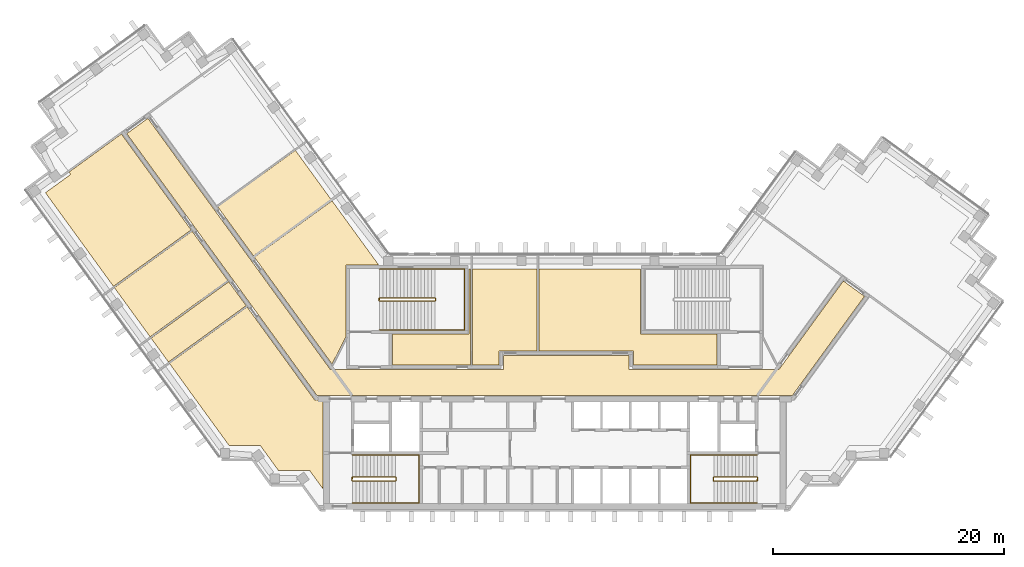
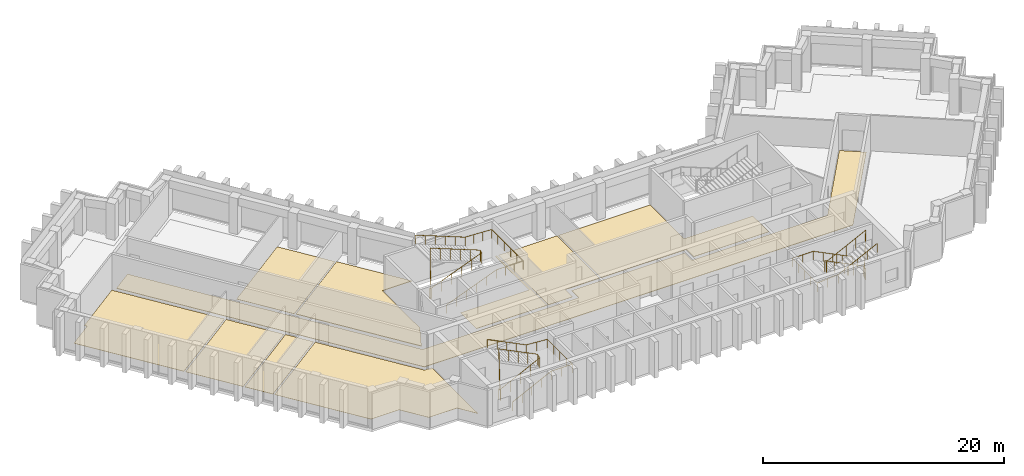
# One storey, part 8 of 9: 10 coverings, 6 railings.
"""IFC4 building model written with IfcOpenShell, lengths in metres."""

from ifc_helpers import new_model, si_unit, direction, frame, origin, origin_2d, place, context, subcontext, project, spatial, polyline, circle, outline, extrude, material, layer, layer_set, type_object, element, save


model = new_model("IFC4")

# Units and contexts
model_context = context("Model", 3, precision=1e-05, world=origin(), true_north=direction((0.0, 1.0)))
body_context = subcontext(model_context, "Body", "Model", "MODEL_VIEW")
ifc_project = project(units=[si_unit("LENGTHUNIT", "METRE"), si_unit("AREAUNIT", "SQUARE_METRE"), si_unit("VOLUMEUNIT", "CUBIC_METRE"), si_unit("PLANEANGLEUNIT", "RADIAN"), si_unit("MASSUNIT", "GRAM", prefix="KILO")], contexts=[model_context])

# Site, building, storey
site_placement = place(None, origin())
site = spatial("IfcSite", under=ifc_project, at=site_placement, CompositionType="ELEMENT")
building_placement = place(site_placement, origin())
building = spatial("IfcBuilding", under=site, at=building_placement, Name="Quipu Civic Tower", CompositionType="ELEMENT")
storey_placement = place(building_placement, frame((0.0, 0.0, 194.0)))
storey = spatial("IfcBuildingStorey", under=building, at=storey_placement, Name="L45", CompositionType="ELEMENT", Elevation=194.0)

# Coverings
ifc_material_1 = material(Name="Carpet tile on raised access floor")
ifc_layer_1 = layer(ifc_material_1, 0.02001953125)
ifc_layer_set_1 = layer_set([ifc_layer_1], Name="Carpet tile on raised access floor")
covering_type_1 = type_object("IfcCoveringType", Name="Carpet tile floor finish 20", PredefinedType="FLOORING", material=ifc_layer_set_1)
covering_1_placement = place(storey_placement, origin())
element("IfcCovering", 1, at=covering_1_placement, inside=storey, type_object=covering_type_1, Name="Carpet tile floor finish 20", PredefinedType="FLOORING", context=body_context, shape_type="SweptSolid", body=[
    extrude(outline(polyline([(-7.1279296875, 9.830078125), (-1.510009765625, 9.830078125), (-1.510009765625, 2.719970703125), (-4.818115234375, 2.719970703125), (-4.820068359375, 1.52001953125), (-7.1279296875, 1.52001953125), (-7.1279296875, 9.830078125)])), origin(), (0.0, 0.0, 1.0), 0.02001953125),
])
covering_2_placement = place(storey_placement, origin())
element("IfcCovering", 2, at=covering_2_placement, inside=storey, type_object=covering_type_1, Name="Carpet tile floor finish 20", PredefinedType="FLOORING", context=body_context, shape_type="SweptSolid", body=[
    extrude(outline(polyline([(-29.1650390625, 15.200927734375), (-22.44189453125, 20.0849609375), (-19.35107421875, 15.8291015625), (-26.073974609375, 10.946044921875), (-29.1650390625, 15.200927734375)])), origin(), (0.0, 0.0, 1.0), 0.02001953125),
])
covering_3_placement = place(storey_placement, origin())
element("IfcCovering", 3, at=covering_3_placement, inside=storey, type_object=covering_type_1, Name="Carpet tile floor finish 20", PredefinedType="FLOORING", context=body_context, shape_type="SweptSolid", body=[
    extrude(outline(polyline([(-38.10693359375, 8.198974609375), (-31.383056640625, 13.08203125), (-28.2919921875, 8.826904296875), (-35.01611328125, 3.943115234375), (-38.10693359375, 8.198974609375)])), origin(), (0.0, 0.0, 1.0), 0.02001953125),
])
covering_4_placement = place(storey_placement, origin())
element("IfcCovering", 4, at=covering_4_placement, inside=storey, type_object=covering_type_1, Name="Carpet tile floor finish 20", PredefinedType="FLOORING", context=body_context, shape_type="SweptSolid", body=[
    extrude(outline(polyline([(-33.344970703125, 1.64501953125), (-26.6220703125, 6.529052734375), (-20.77490234375, -1.51904296875), (-20.070068359375, -1.52001953125), (-20.070068359375, -9.195068359375), (-21.196044921875, -7.64599609375), (-23.89501953125, -7.64599609375), (-25.48193359375, -5.4619140625), (-28.181884765625, -5.4609375), (-33.344970703125, 1.64501953125)])), origin(), (0.0, 0.0, 1.0), 0.02001953125),
])
covering_5_placement = place(storey_placement, origin())
element("IfcCovering", 5, at=covering_5_placement, inside=storey, type_object=covering_type_1, Name="Carpet tile floor finish 20", PredefinedType="FLOORING", context=body_context, shape_type="SweptSolid", body=[
    extrude(outline(polyline([(-1.368896484375, 2.719970703125), (-1.368896484375, 9.830078125), (7.429931640625, 9.830078125), (7.430908203125, 4.179931640625), (14.030029296875, 4.179931640625), (14.030029296875, 1.52001953125), (6.820068359375, 1.52001953125), (6.818115234375, 2.719970703125), (-1.368896484375, 2.719970703125)])), origin(), (0.0, 0.0, 1.0), 0.02001953125),
])
ifc_material_2 = material(Name="Ceramic floor tile")
ifc_layer_2 = layer(ifc_material_2, 0.030029296875)
ifc_layer_set_2 = layer_set([ifc_layer_2], Name="Ceramic floor tile")
covering_type_2 = type_object("IfcCoveringType", Name="Ceramic tile floor finish 30", PredefinedType="FLOORING", material=ifc_layer_set_2)
covering_6_placement = place(storey_placement, origin())
element("IfcCovering", 6, at=covering_6_placement, inside=storey, type_object=covering_type_2, Name="Ceramic tile floor finish 30", PredefinedType="FLOORING", context=body_context, shape_type="SweptSolid", body=[
    extrude(outline(polyline([(-44.074951171875, 16.4140625), (-41.89208984375, 17.9990234375), (-42.0380859375, 18.201904296875), (-37.4990234375, 21.5), (-31.466064453125, 13.195068359375), (-38.18994140625, 8.31201171875), (-44.074951171875, 16.4140625)])), origin(), (0.0, 0.0, 1.0), 0.030029296875),
])
covering_7_placement = place(storey_placement, origin())
element("IfcCovering", 7, at=covering_7_placement, inside=storey, type_object=covering_type_2, Name="Ceramic tile floor finish 30", PredefinedType="FLOORING", context=body_context, shape_type="SweptSolid", body=[
    extrude(outline(polyline([(-14.030029296875, 4.179931640625), (-7.430908203125, 4.179931640625), (-7.429931640625, 9.830078125), (-7.26806640625, 9.830078125), (-7.26806640625, 1.52001953125), (-14.030029296875, 1.52001953125), (-14.030029296875, 4.179931640625)])), origin(), (0.0, 0.0, 1.0), 0.030029296875),
])
covering_8_placement = place(storey_placement, origin())
element("IfcCovering", 8, at=covering_8_placement, inside=storey, type_object=covering_type_2, Name="Ceramic tile floor finish 30", PredefinedType="FLOORING", context=body_context, shape_type="SweptSolid", body=[
    extrude(outline(polyline([(-34.931884765625, 3.830078125), (-28.208984375, 8.714111328125), (-26.705078125, 6.64208984375), (-33.427978515625, 1.758056640625), (-34.931884765625, 3.830078125)])), origin(), (0.0, 0.0, 1.0), 0.030029296875),
])
ifc_material_3 = material(Name="Sealed cement screed")
ifc_layer_3 = layer(ifc_material_3, 0.050048828125)
ifc_layer_set_3 = layer_set([ifc_layer_3], Name="Sealed cement screed")
covering_type_3 = type_object("IfcCoveringType", Name="Sealed screed floor finish 50", PredefinedType="FLOORING", material=ifc_layer_set_3)
covering_9_placement = place(storey_placement, origin())
element("IfcCovering", 9, at=covering_9_placement, inside=storey, type_object=covering_type_3, Name="Sealed screed floor finish 50", PredefinedType="FLOORING", context=body_context, shape_type="SweptSolid", body=[
    extrude(outline(polyline([(-25.990966796875, 10.8330078125), (-19.26806640625, 15.716064453125), (-15.238037109375, 10.169921875), (-18.070068359375, 10.1689453125), (-18.070068359375, 3.94189453125), (-19.27197265625, 1.583984375), (-25.990966796875, 10.8330078125)])), origin(), (0.0, 0.0, 1.0), 0.050048828125),
])

# Railings
ifc_material_4 = material(Name="Stainless steel", Category="steel")
railing_type_1 = type_object("IfcRailingType", Name="Stair guard 1100", PredefinedType="GUARDRAIL", material=ifc_material_4)
railing_1_placement = place(storey_placement, frame((-17.5, -8.550048828125, 0.15380859375)))
element("IfcRailing", 10, at=railing_1_placement, inside=storey, type_object=railing_type_1, Name="Stair 1 guard", PredefinedType="GUARDRAIL", context=body_context, shape_type="SweptSolid", body=[
    extrude(circle(Radius=0.02392578125, at=origin_2d()), frame((0.0, 0.0, 1.076171875), z_axis=(0.895751851347, 0.0, 0.444554407028), x_axis=(0.0, 1.0, 0.0)), (0.0, 0.0, 1.0), 4.15283203125),
    extrude(circle(Radius=0.02392578125, at=origin_2d()), frame((3.719970703125, 0.0, 2.92236328125), z_axis=(0.707106781187, 0.707106781187, 0.0), x_axis=(-0.707106781187, 0.707106781187, 0.0)), (0.0, 0.0, 1.0), 0.07080078125),
    extrude(circle(Radius=0.02392578125, at=origin_2d()), frame((3.77001953125, 0.050048828125, 2.92236328125), z_axis=(0.0, 1.0, 0.0), x_axis=(-1.0, 0.0, 0.0)), (0.0, 0.0, 1.0), 0.25),
    extrude(circle(Radius=0.02392578125, at=origin_2d()), frame((3.77001953125, 0.300048828125, 2.92236328125), z_axis=(-0.295599637079, 0.295599637079, 0.908428152975), x_axis=(-0.707106781187, -0.707106781187, 0.0)), (0.0, 0.0, 1.0), 0.16943359375),
    extrude(circle(Radius=0.02392578125, at=origin_2d()), frame((3.719970703125, 0.35009765625, 3.076171875), z_axis=(-0.895751851347, 0.0, 0.444554407028), x_axis=(0.0, -1.0, 0.0)), (0.0, 0.0, 1.0), 4.15283203125),
    extrude(circle(Radius=0.02392578125, at=origin_2d()), frame((0.0, 0.35009765625, 4.92236328125), z_axis=(-0.012476181752, -0.074796231092, -0.997120789425), x_axis=(0.986372223864, -0.164529134168, 0.0)), (0.0, 0.0, 1.0), 4.011474609375),
    extrude(circle(Radius=0.02392578125, at=origin_2d()), frame((-0.050048828125, 0.050048828125, 0.92236328125), z_axis=(0.0, 1.0, 0.0), x_axis=(-1.0, 0.0, 0.0)), (0.0, 0.0, 1.0), 0.25),
    extrude(circle(Radius=0.02099609375, at=origin_2d()), origin(), (0.0, 0.0, 1.0), 1.052001953125),
    extrude(circle(Radius=0.02099609375, at=origin_2d()), frame((0.929931640625, 0.0, 0.46142578125)), (0.0, 0.0, 1.0), 1.052001953125),
    extrude(circle(Radius=0.02099609375, at=origin_2d()), frame((1.85986328125, 0.0, 0.923095703125)), (0.0, 0.0, 1.0), 1.052001953125),
    extrude(circle(Radius=0.02099609375, at=origin_2d()), frame((2.7900390625, 0.0, 1.384765625)), (0.0, 0.0, 1.0), 1.052001953125),
    extrude(circle(Radius=0.02099609375, at=origin_2d()), frame((3.719970703125, 0.0, 1.84619140625)), (0.0, 0.0, 1.0), 1.052001953125),
    extrude(circle(Radius=0.02099609375, at=origin_2d()), frame((3.77001953125, 0.050048828125, 1.84619140625)), (0.0, 0.0, 1.0), 1.052001953125),
    extrude(circle(Radius=0.02099609375, at=origin_2d()), frame((3.77001953125, 0.300048828125, 1.84619140625)), (0.0, 0.0, 1.0), 1.052001953125),
    extrude(circle(Radius=0.02099609375, at=origin_2d()), frame((3.719970703125, 0.35009765625, 2.0)), (0.0, 0.0, 1.0), 1.052001953125),
    extrude(circle(Radius=0.02099609375, at=origin_2d()), frame((2.7900390625, 0.35009765625, 2.46142578125)), (0.0, 0.0, 1.0), 1.052001953125),
    extrude(circle(Radius=0.02099609375, at=origin_2d()), frame((1.85986328125, 0.35009765625, 2.923095703125)), (0.0, 0.0, 1.0), 1.052001953125),
    extrude(circle(Radius=0.02099609375, at=origin_2d()), frame((0.929931640625, 0.35009765625, 3.384765625)), (0.0, 0.0, 1.0), 1.052001953125),
    extrude(circle(Radius=0.02099609375, at=origin_2d()), frame((0.0, 0.35009765625, 3.84619140625)), (0.0, 0.0, 1.0), 1.052001953125),
    extrude(circle(Radius=0.02099609375, at=origin_2d()), frame((-0.012451171875, 0.275146484375, 2.84619140625)), (0.0, 0.0, 1.0), 1.052001953125),
    extrude(circle(Radius=0.02099609375, at=origin_2d()), frame((-0.02490234375, 0.2001953125, 1.84619140625)), (0.0, 0.0, 1.0), 1.052001953125),
    extrude(circle(Radius=0.02099609375, at=origin_2d()), frame((-0.03759765625, 0.125, 0.84619140625)), (0.0, 0.0, 1.0), 1.052001953125),
    extrude(circle(Radius=0.02099609375, at=origin_2d()), frame((-0.050048828125, 0.050048828125, -0.15380859375)), (0.0, 0.0, 1.0), 1.052001953125),
    extrude(circle(Radius=0.02099609375, at=origin_2d()), frame((-0.050048828125, 0.300048828125, -0.15380859375)), (0.0, 0.0, 1.0), 1.052001953125),
])
railing_2_placement = place(storey_placement, frame((17.5, -8.199951171875, 0.15380859375)))
element("IfcRailing", 11, at=railing_2_placement, inside=storey, type_object=railing_type_1, Name="Stair 2 guard", PredefinedType="GUARDRAIL", context=body_context, shape_type="SweptSolid", body=[
    extrude(circle(Radius=0.02392578125, at=origin_2d()), frame((0.0, 0.0, 1.076171875), z_axis=(-0.895751851347, 0.0, 0.444554407028), x_axis=(0.0, -1.0, 0.0)), (0.0, 0.0, 1.0), 4.15283203125),
    extrude(circle(Radius=0.02392578125, at=origin_2d()), frame((-3.719970703125, 0.0, 2.92236328125), z_axis=(-0.707106781187, -0.707106781187, 0.0), x_axis=(0.707106781187, -0.707106781187, 0.0)), (0.0, 0.0, 1.0), 0.07080078125),
    extrude(circle(Radius=0.02392578125, at=origin_2d()), frame((-3.77001953125, -0.050048828125, 2.92236328125), z_axis=(0.0, -1.0, 0.0), x_axis=(1.0, 0.0, 0.0)), (0.0, 0.0, 1.0), 0.25),
    extrude(circle(Radius=0.02392578125, at=origin_2d()), frame((-3.77001953125, -0.300048828125, 2.92236328125), z_axis=(0.295599637079, -0.295599637079, 0.908428152975), x_axis=(0.707106781187, 0.707106781187, 0.0)), (0.0, 0.0, 1.0), 0.16943359375),
    extrude(circle(Radius=0.02392578125, at=origin_2d()), frame((-3.719970703125, -0.35009765625, 3.076171875), z_axis=(0.895751851347, 0.0, 0.444554407028), x_axis=(0.0, 1.0, 0.0)), (0.0, 0.0, 1.0), 4.15283203125),
    extrude(circle(Radius=0.02392578125, at=origin_2d()), frame((0.0, -0.35009765625, 4.92236328125), z_axis=(0.012476181752, 0.074796231092, -0.997120789425), x_axis=(-0.986372223864, 0.164529134168, 0.0)), (0.0, 0.0, 1.0), 4.011474609375),
    extrude(circle(Radius=0.02392578125, at=origin_2d()), frame((0.050048828125, -0.050048828125, 0.92236328125), z_axis=(0.0, -1.0, 0.0), x_axis=(1.0, 0.0, 0.0)), (0.0, 0.0, 1.0), 0.25),
    extrude(circle(Radius=0.02099609375, at=origin_2d()), origin(), (0.0, 0.0, 1.0), 1.052001953125),
    extrude(circle(Radius=0.02099609375, at=origin_2d()), frame((-0.929931640625, 0.0, 0.46142578125)), (0.0, 0.0, 1.0), 1.052001953125),
    extrude(circle(Radius=0.02099609375, at=origin_2d()), frame((-1.85986328125, 0.0, 0.923095703125)), (0.0, 0.0, 1.0), 1.052001953125),
    extrude(circle(Radius=0.02099609375, at=origin_2d()), frame((-2.7900390625, 0.0, 1.384765625)), (0.0, 0.0, 1.0), 1.052001953125),
    extrude(circle(Radius=0.02099609375, at=origin_2d()), frame((-3.719970703125, 0.0, 1.84619140625)), (0.0, 0.0, 1.0), 1.052001953125),
    extrude(circle(Radius=0.02099609375, at=origin_2d()), frame((-3.77001953125, -0.050048828125, 1.84619140625)), (0.0, 0.0, 1.0), 1.052001953125),
    extrude(circle(Radius=0.02099609375, at=origin_2d()), frame((-3.77001953125, -0.300048828125, 1.84619140625)), (0.0, 0.0, 1.0), 1.052001953125),
    extrude(circle(Radius=0.02099609375, at=origin_2d()), frame((-3.719970703125, -0.35009765625, 2.0)), (0.0, 0.0, 1.0), 1.052001953125),
    extrude(circle(Radius=0.02099609375, at=origin_2d()), frame((-2.7900390625, -0.35009765625, 2.46142578125)), (0.0, 0.0, 1.0), 1.052001953125),
    extrude(circle(Radius=0.02099609375, at=origin_2d()), frame((-1.85986328125, -0.35009765625, 2.923095703125)), (0.0, 0.0, 1.0), 1.052001953125),
    extrude(circle(Radius=0.02099609375, at=origin_2d()), frame((-0.929931640625, -0.35009765625, 3.384765625)), (0.0, 0.0, 1.0), 1.052001953125),
    extrude(circle(Radius=0.02099609375, at=origin_2d()), frame((0.0, -0.35009765625, 3.84619140625)), (0.0, 0.0, 1.0), 1.052001953125),
    extrude(circle(Radius=0.02099609375, at=origin_2d()), frame((0.012451171875, -0.275146484375, 2.84619140625)), (0.0, 0.0, 1.0), 1.052001953125),
    extrude(circle(Radius=0.02099609375, at=origin_2d()), frame((0.02490234375, -0.2001953125, 1.84619140625)), (0.0, 0.0, 1.0), 1.052001953125),
    extrude(circle(Radius=0.02099609375, at=origin_2d()), frame((0.03759765625, -0.125, 0.84619140625)), (0.0, 0.0, 1.0), 1.052001953125),
    extrude(circle(Radius=0.02099609375, at=origin_2d()), frame((0.050048828125, -0.050048828125, -0.15380859375)), (0.0, 0.0, 1.0), 1.052001953125),
    extrude(circle(Radius=0.02099609375, at=origin_2d()), frame((0.050048828125, -0.300048828125, -0.15380859375)), (0.0, 0.0, 1.0), 1.052001953125),
])
railing_3_placement = place(storey_placement, frame((-15.14990234375, 7.050048828125, 0.11767578125)))
element("IfcRailing", 12, at=railing_3_placement, inside=storey, type_object=railing_type_1, Name="Stair 3 guard", PredefinedType="GUARDRAIL", context=body_context, shape_type="SweptSolid", body=[
    extrude(circle(Radius=0.02392578125, at=origin_2d()), frame((0.0, 0.0, 1.076171875), z_axis=(0.930970042603, 0.0, 0.365095576219), x_axis=(0.0, 1.0, 0.0)), (0.0, 0.0, 1.0), 5.15576171875),
    extrude(circle(Radius=0.02392578125, at=origin_2d()), frame((4.7998046875, 0.0, 2.95849609375), z_axis=(0.707106781187, 0.707106781187, 0.0), x_axis=(-0.707106781187, 0.707106781187, 0.0)), (0.0, 0.0, 1.0), 0.07080078125),
    extrude(circle(Radius=0.02392578125, at=origin_2d()), frame((4.849853515625, 0.050048828125, 2.95849609375), z_axis=(0.0, 1.0, 0.0), x_axis=(-1.0, 0.0, 0.0)), (0.0, 0.0, 1.0), 0.14990234375),
    extrude(circle(Radius=0.02392578125, at=origin_2d()), frame((4.849853515625, 0.199951171875, 2.95849609375), z_axis=(-0.364463019033, 0.364463019033, 0.856932561824), x_axis=(-0.707106781187, -0.707106781187, 0.0)), (0.0, 0.0, 1.0), 0.13720703125),
    extrude(circle(Radius=0.02392578125, at=origin_2d()), frame((4.7998046875, 0.25, 3.076171875), z_axis=(-0.930970042603, 0.0, 0.365095576219), x_axis=(0.0, -1.0, 0.0)), (0.0, 0.0, 1.0), 5.15576171875),
    extrude(circle(Radius=0.02392578125, at=origin_2d()), frame((0.0, 0.25, 4.95849609375), z_axis=(-0.012495627992, -0.049921557685, -0.998674970829), x_axis=(0.970072785993, -0.242814311512, 0.0)), (0.0, 0.0, 1.0), 4.00537109375),
    extrude(circle(Radius=0.02392578125, at=origin_2d()), frame((-0.050048828125, 0.050048828125, 0.95849609375), z_axis=(0.0, 1.0, 0.0), x_axis=(-1.0, 0.0, 0.0)), (0.0, 0.0, 1.0), 0.14990234375),
    extrude(circle(Radius=0.02099609375, at=origin_2d()), origin(), (0.0, 0.0, 1.0), 1.052001953125),
    extrude(circle(Radius=0.02099609375, at=origin_2d()), frame((0.9599609375, 0.0, 0.37646484375)), (0.0, 0.0, 1.0), 1.052001953125),
    extrude(circle(Radius=0.02099609375, at=origin_2d()), frame((1.919921875, 0.0, 0.7529296875)), (0.0, 0.0, 1.0), 1.052001953125),
    extrude(circle(Radius=0.02099609375, at=origin_2d()), frame((2.8798828125, 0.0, 1.12939453125)), (0.0, 0.0, 1.0), 1.052001953125),
    extrude(circle(Radius=0.02099609375, at=origin_2d()), frame((3.83984375, 0.0, 1.505859375)), (0.0, 0.0, 1.0), 1.052001953125),
    extrude(circle(Radius=0.02099609375, at=origin_2d()), frame((4.7998046875, 0.0, 1.88232421875)), (0.0, 0.0, 1.0), 1.052001953125),
    extrude(circle(Radius=0.02099609375, at=origin_2d()), frame((4.849853515625, 0.050048828125, 1.88232421875)), (0.0, 0.0, 1.0), 1.052001953125),
    extrude(circle(Radius=0.02099609375, at=origin_2d()), frame((4.849853515625, 0.199951171875, 1.88232421875)), (0.0, 0.0, 1.0), 1.052001953125),
    extrude(circle(Radius=0.02099609375, at=origin_2d()), frame((4.7998046875, 0.25, 2.0)), (0.0, 0.0, 1.0), 1.052001953125),
    extrude(circle(Radius=0.02099609375, at=origin_2d()), frame((3.83984375, 0.25, 2.37646484375)), (0.0, 0.0, 1.0), 1.052001953125),
    extrude(circle(Radius=0.02099609375, at=origin_2d()), frame((2.8798828125, 0.25, 2.7529296875)), (0.0, 0.0, 1.0), 1.052001953125),
    extrude(circle(Radius=0.02099609375, at=origin_2d()), frame((1.919921875, 0.25, 3.12939453125)), (0.0, 0.0, 1.0), 1.052001953125),
    extrude(circle(Radius=0.02099609375, at=origin_2d()), frame((0.9599609375, 0.25, 3.505859375)), (0.0, 0.0, 1.0), 1.052001953125),
    extrude(circle(Radius=0.02099609375, at=origin_2d()), frame((0.0, 0.25, 3.88232421875)), (0.0, 0.0, 1.0), 1.052001953125),
    extrude(circle(Radius=0.02099609375, at=origin_2d()), frame((-0.012451171875, 0.199951171875, 2.88232421875)), (0.0, 0.0, 1.0), 1.052001953125),
    extrude(circle(Radius=0.02099609375, at=origin_2d()), frame((-0.02490234375, 0.14990234375, 1.88232421875)), (0.0, 0.0, 1.0), 1.052001953125),
    extrude(circle(Radius=0.02099609375, at=origin_2d()), frame((-0.03759765625, 0.10009765625, 0.88232421875)), (0.0, 0.0, 1.0), 1.052001953125),
    extrude(circle(Radius=0.02099609375, at=origin_2d()), frame((-0.050048828125, 0.050048828125, -0.11767578125)), (0.0, 0.0, 1.0), 1.052001953125),
    extrude(circle(Radius=0.02099609375, at=origin_2d()), frame((-0.050048828125, 0.199951171875, -0.11767578125)), (0.0, 0.0, 1.0), 1.052001953125),
])
ifc_material_5 = material(Name="Stainless steel", Category="steel")
railing_type_2 = type_object("IfcRailingType", Name="Stair handrail", PredefinedType="HANDRAIL", material=ifc_material_5)
railing_4_placement = place(storey_placement, frame((-17.5, -10.449951171875, 0.15380859375)))
element("IfcRailing", 13, at=railing_4_placement, inside=storey, type_object=railing_type_2, Name="Stair 1 handrail", PredefinedType="HANDRAIL", context=body_context, shape_type="SweptSolid", body=[
    extrude(circle(Radius=0.02392578125, at=origin_2d()), frame((0.0, 0.0, 0.8759765625), z_axis=(0.895751851347, 0.0, 0.444554407028), x_axis=(0.0, 1.0, 0.0)), (0.0, 0.0, 1.0), 4.15283203125),
    extrude(circle(Radius=0.02392578125, at=origin_2d()), frame((3.719970703125, 0.0, 2.72216796875), z_axis=(1.0, 0.0, 0.0), x_axis=(0.0, 1.0, 0.0)), (0.0, 0.0, 1.0), 2.030029296875),
    extrude(circle(Radius=0.02392578125, at=origin_2d()), frame((5.75, 0.0, 2.72216796875), z_axis=(0.0, 1.0, 0.0), x_axis=(-1.0, 0.0, 0.0)), (0.0, 0.0, 1.0), 4.14990234375),
    extrude(circle(Radius=0.02392578125, at=origin_2d()), frame((5.75, 4.14990234375, 2.72216796875), z_axis=(-0.997142003663, 0.0, 0.075550145798), x_axis=(0.0, -1.0, 0.0)), (0.0, 0.0, 1.0), 2.035888671875),
    extrude(circle(Radius=0.02392578125, at=origin_2d()), frame((3.719970703125, 4.14990234375, 2.8759765625), z_axis=(-0.895751851347, 0.0, 0.444554407028), x_axis=(0.0, -1.0, 0.0)), (0.0, 0.0, 1.0), 4.15283203125),
    extrude(circle(Radius=0.02099609375, at=origin_2d()), origin(), (0.0, 0.0, 1.0), 0.851806640625),
    extrude(circle(Radius=0.02099609375, at=origin_2d()), frame((0.929931640625, 0.0, 0.46142578125)), (0.0, 0.0, 1.0), 0.851806640625),
    extrude(circle(Radius=0.02099609375, at=origin_2d()), frame((1.85986328125, 0.0, 0.923095703125)), (0.0, 0.0, 1.0), 0.851806640625),
    extrude(circle(Radius=0.02099609375, at=origin_2d()), frame((2.7900390625, 0.0, 1.384765625)), (0.0, 0.0, 1.0), 0.851806640625),
    extrude(circle(Radius=0.02099609375, at=origin_2d()), frame((3.719970703125, 0.0, 1.84619140625)), (0.0, 0.0, 1.0), 0.851806640625),
    extrude(circle(Radius=0.02099609375, at=origin_2d()), frame((4.73486328125, 0.0, 1.84619140625)), (0.0, 0.0, 1.0), 0.851806640625),
    extrude(circle(Radius=0.02099609375, at=origin_2d()), frame((5.75, 0.0, 1.84619140625)), (0.0, 0.0, 1.0), 0.851806640625),
    extrude(circle(Radius=0.02099609375, at=origin_2d()), frame((5.75, 1.03759765625, 1.84619140625)), (0.0, 0.0, 1.0), 0.851806640625),
    extrude(circle(Radius=0.02099609375, at=origin_2d()), frame((5.75, 2.074951171875, 1.84619140625)), (0.0, 0.0, 1.0), 0.851806640625),
    extrude(circle(Radius=0.02099609375, at=origin_2d()), frame((5.75, 3.1123046875, 1.84619140625)), (0.0, 0.0, 1.0), 0.851806640625),
    extrude(circle(Radius=0.02099609375, at=origin_2d()), frame((5.75, 4.14990234375, 1.84619140625)), (0.0, 0.0, 1.0), 0.851806640625),
    extrude(circle(Radius=0.02099609375, at=origin_2d()), frame((4.73486328125, 4.14990234375, 1.923095703125)), (0.0, 0.0, 1.0), 0.851806640625),
    extrude(circle(Radius=0.02099609375, at=origin_2d()), frame((3.719970703125, 4.14990234375, 2.0)), (0.0, 0.0, 1.0), 0.851806640625),
    extrude(circle(Radius=0.02099609375, at=origin_2d()), frame((2.7900390625, 4.14990234375, 2.46142578125)), (0.0, 0.0, 1.0), 0.851806640625),
    extrude(circle(Radius=0.02099609375, at=origin_2d()), frame((1.85986328125, 4.14990234375, 2.923095703125)), (0.0, 0.0, 1.0), 0.851806640625),
    extrude(circle(Radius=0.02099609375, at=origin_2d()), frame((0.929931640625, 4.14990234375, 3.384765625)), (0.0, 0.0, 1.0), 0.851806640625),
    extrude(circle(Radius=0.02099609375, at=origin_2d()), frame((0.0, 4.14990234375, 3.84619140625)), (0.0, 0.0, 1.0), 0.851806640625),
])
railing_5_placement = place(storey_placement, frame((17.5, -6.300048828125, 0.15380859375)))
element("IfcRailing", 14, at=railing_5_placement, inside=storey, type_object=railing_type_2, Name="Stair 2 handrail", PredefinedType="HANDRAIL", context=body_context, shape_type="SweptSolid", body=[
    extrude(circle(Radius=0.02392578125, at=origin_2d()), frame((0.0, 0.0, 0.8759765625), z_axis=(-0.895751851347, 0.0, 0.444554407028), x_axis=(0.0, -1.0, 0.0)), (0.0, 0.0, 1.0), 4.15283203125),
    extrude(circle(Radius=0.02392578125, at=origin_2d()), frame((-3.719970703125, 0.0, 2.72216796875), z_axis=(-1.0, 0.0, 0.0), x_axis=(0.0, -1.0, 0.0)), (0.0, 0.0, 1.0), 2.030029296875),
    extrude(circle(Radius=0.02392578125, at=origin_2d()), frame((-5.75, 0.0, 2.72216796875), z_axis=(0.0, -1.0, 0.0), x_axis=(1.0, 0.0, 0.0)), (0.0, 0.0, 1.0), 4.14990234375),
    extrude(circle(Radius=0.02392578125, at=origin_2d()), frame((-5.75, -4.14990234375, 2.72216796875), z_axis=(0.997142003663, 0.0, 0.075550145798), x_axis=(0.0, 1.0, 0.0)), (0.0, 0.0, 1.0), 2.035888671875),
    extrude(circle(Radius=0.02392578125, at=origin_2d()), frame((-3.719970703125, -4.14990234375, 2.8759765625), z_axis=(0.895751851347, 0.0, 0.444554407028), x_axis=(0.0, 1.0, 0.0)), (0.0, 0.0, 1.0), 4.15283203125),
    extrude(circle(Radius=0.02099609375, at=origin_2d()), origin(), (0.0, 0.0, 1.0), 0.851806640625),
    extrude(circle(Radius=0.02099609375, at=origin_2d()), frame((-0.929931640625, 0.0, 0.46142578125)), (0.0, 0.0, 1.0), 0.851806640625),
    extrude(circle(Radius=0.02099609375, at=origin_2d()), frame((-1.85986328125, 0.0, 0.923095703125)), (0.0, 0.0, 1.0), 0.851806640625),
    extrude(circle(Radius=0.02099609375, at=origin_2d()), frame((-2.7900390625, 0.0, 1.384765625)), (0.0, 0.0, 1.0), 0.851806640625),
    extrude(circle(Radius=0.02099609375, at=origin_2d()), frame((-3.719970703125, 0.0, 1.84619140625)), (0.0, 0.0, 1.0), 0.851806640625),
    extrude(circle(Radius=0.02099609375, at=origin_2d()), frame((-4.73486328125, 0.0, 1.84619140625)), (0.0, 0.0, 1.0), 0.851806640625),
    extrude(circle(Radius=0.02099609375, at=origin_2d()), frame((-5.75, 0.0, 1.84619140625)), (0.0, 0.0, 1.0), 0.851806640625),
    extrude(circle(Radius=0.02099609375, at=origin_2d()), frame((-5.75, -1.03759765625, 1.84619140625)), (0.0, 0.0, 1.0), 0.851806640625),
    extrude(circle(Radius=0.02099609375, at=origin_2d()), frame((-5.75, -2.074951171875, 1.84619140625)), (0.0, 0.0, 1.0), 0.851806640625),
    extrude(circle(Radius=0.02099609375, at=origin_2d()), frame((-5.75, -3.1123046875, 1.84619140625)), (0.0, 0.0, 1.0), 0.851806640625),
    extrude(circle(Radius=0.02099609375, at=origin_2d()), frame((-5.75, -4.14990234375, 1.84619140625)), (0.0, 0.0, 1.0), 0.851806640625),
    extrude(circle(Radius=0.02099609375, at=origin_2d()), frame((-4.73486328125, -4.14990234375, 1.923095703125)), (0.0, 0.0, 1.0), 0.851806640625),
    extrude(circle(Radius=0.02099609375, at=origin_2d()), frame((-3.719970703125, -4.14990234375, 2.0)), (0.0, 0.0, 1.0), 0.851806640625),
    extrude(circle(Radius=0.02099609375, at=origin_2d()), frame((-2.7900390625, -4.14990234375, 2.46142578125)), (0.0, 0.0, 1.0), 0.851806640625),
    extrude(circle(Radius=0.02099609375, at=origin_2d()), frame((-1.85986328125, -4.14990234375, 2.923095703125)), (0.0, 0.0, 1.0), 0.851806640625),
    extrude(circle(Radius=0.02099609375, at=origin_2d()), frame((-0.929931640625, -4.14990234375, 3.384765625)), (0.0, 0.0, 1.0), 0.851806640625),
    extrude(circle(Radius=0.02099609375, at=origin_2d()), frame((0.0, -4.14990234375, 3.84619140625)), (0.0, 0.0, 1.0), 0.851806640625),
])
railing_6_placement = place(storey_placement, frame((-15.14990234375, 4.550048828125, 0.11767578125)))
element("IfcRailing", 15, at=railing_6_placement, inside=storey, type_object=railing_type_2, Name="Stair 3 handrail", PredefinedType="HANDRAIL", context=body_context, shape_type="SweptSolid", body=[
    extrude(circle(Radius=0.02392578125, at=origin_2d()), frame((0.0, 0.0, 0.8759765625), z_axis=(0.930970042603, 0.0, 0.365095576219), x_axis=(0.0, 1.0, 0.0)), (0.0, 0.0, 1.0), 5.15576171875),
    extrude(circle(Radius=0.02392578125, at=origin_2d()), frame((4.7998046875, 0.0, 2.75830078125), z_axis=(1.0, 0.0, 0.0), x_axis=(0.0, 1.0, 0.0)), (0.0, 0.0, 1.0), 2.550048828125),
    extrude(circle(Radius=0.02392578125, at=origin_2d()), frame((7.349853515625, 0.0, 2.75830078125), z_axis=(0.0, 1.0, 0.0), x_axis=(-1.0, 0.0, 0.0)), (0.0, 0.0, 1.0), 5.25),
    extrude(circle(Radius=0.02392578125, at=origin_2d()), frame((7.349853515625, 5.25, 2.75830078125), z_axis=(-0.998936948642, 0.0, 0.04609742549), x_axis=(0.0, -1.0, 0.0)), (0.0, 0.0, 1.0), 2.552734375),
    extrude(circle(Radius=0.02392578125, at=origin_2d()), frame((4.7998046875, 5.25, 2.8759765625), z_axis=(-0.930970042603, 0.0, 0.365095576219), x_axis=(0.0, -1.0, 0.0)), (0.0, 0.0, 1.0), 5.15576171875),
    extrude(circle(Radius=0.02099609375, at=origin_2d()), origin(), (0.0, 0.0, 1.0), 0.851806640625),
    extrude(circle(Radius=0.02099609375, at=origin_2d()), frame((0.9599609375, 0.0, 0.37646484375)), (0.0, 0.0, 1.0), 0.851806640625),
    extrude(circle(Radius=0.02099609375, at=origin_2d()), frame((1.919921875, 0.0, 0.7529296875)), (0.0, 0.0, 1.0), 0.851806640625),
    extrude(circle(Radius=0.02099609375, at=origin_2d()), frame((2.8798828125, 0.0, 1.12939453125)), (0.0, 0.0, 1.0), 0.851806640625),
    extrude(circle(Radius=0.02099609375, at=origin_2d()), frame((3.83984375, 0.0, 1.505859375)), (0.0, 0.0, 1.0), 0.851806640625),
    extrude(circle(Radius=0.02099609375, at=origin_2d()), frame((4.7998046875, 0.0, 1.88232421875)), (0.0, 0.0, 1.0), 0.851806640625),
    extrude(circle(Radius=0.02099609375, at=origin_2d()), frame((5.64990234375, 0.0, 1.88232421875)), (0.0, 0.0, 1.0), 0.851806640625),
    extrude(circle(Radius=0.02099609375, at=origin_2d()), frame((6.499755859375, 0.0, 1.88232421875)), (0.0, 0.0, 1.0), 0.851806640625),
    extrude(circle(Radius=0.02099609375, at=origin_2d()), frame((7.349853515625, 0.0, 1.88232421875)), (0.0, 0.0, 1.0), 0.851806640625),
    extrude(circle(Radius=0.02099609375, at=origin_2d()), frame((7.349853515625, 1.050048828125, 1.88232421875)), (0.0, 0.0, 1.0), 0.851806640625),
    extrude(circle(Radius=0.02099609375, at=origin_2d()), frame((7.349853515625, 2.10009765625, 1.88232421875)), (0.0, 0.0, 1.0), 0.851806640625),
    extrude(circle(Radius=0.02099609375, at=origin_2d()), frame((7.349853515625, 3.14990234375, 1.88232421875)), (0.0, 0.0, 1.0), 0.851806640625),
    extrude(circle(Radius=0.02099609375, at=origin_2d()), frame((7.349853515625, 4.199951171875, 1.88232421875)), (0.0, 0.0, 1.0), 0.851806640625),
    extrude(circle(Radius=0.02099609375, at=origin_2d()), frame((7.349853515625, 5.25, 1.88232421875)), (0.0, 0.0, 1.0), 0.851806640625),
    extrude(circle(Radius=0.02099609375, at=origin_2d()), frame((6.499755859375, 5.25, 1.921630859375)), (0.0, 0.0, 1.0), 0.851806640625),
    extrude(circle(Radius=0.02099609375, at=origin_2d()), frame((5.64990234375, 5.25, 1.960693359375)), (0.0, 0.0, 1.0), 0.851806640625),
    extrude(circle(Radius=0.02099609375, at=origin_2d()), frame((4.7998046875, 5.25, 2.0)), (0.0, 0.0, 1.0), 0.851806640625),
    extrude(circle(Radius=0.02099609375, at=origin_2d()), frame((3.83984375, 5.25, 2.37646484375)), (0.0, 0.0, 1.0), 0.851806640625),
    extrude(circle(Radius=0.02099609375, at=origin_2d()), frame((2.8798828125, 5.25, 2.7529296875)), (0.0, 0.0, 1.0), 0.851806640625),
    extrude(circle(Radius=0.02099609375, at=origin_2d()), frame((1.919921875, 5.25, 3.12939453125)), (0.0, 0.0, 1.0), 0.851806640625),
    extrude(circle(Radius=0.02099609375, at=origin_2d()), frame((0.9599609375, 5.25, 3.505859375)), (0.0, 0.0, 1.0), 0.851806640625),
    extrude(circle(Radius=0.02099609375, at=origin_2d()), frame((0.0, 5.25, 3.88232421875)), (0.0, 0.0, 1.0), 0.851806640625),
])

# Covering
ifc_material_6 = material(Name="Terrazzo floor finish")
ifc_layer_4 = layer(ifc_material_6, 0.0400390625)
ifc_layer_set_4 = layer_set([ifc_layer_4], Name="Terrazzo floor finish")
covering_type_4 = type_object("IfcCoveringType", Name="Terrazzo floor finish 40", PredefinedType="FLOORING", material=ifc_layer_set_4)
covering_10_placement = place(storey_placement, origin())
element("IfcCovering", 16, at=covering_10_placement, inside=storey, type_object=covering_type_4, Name="Terrazzo floor finish 40", PredefinedType="FLOORING", context=body_context, shape_type="SweptSolid", body=[
    extrude(outline(polyline([(19.425048828125, 1.1298828125), (24.98095703125, 8.778076171875), (26.80908203125, 7.450927734375), (20.574951171875, -1.1298828125), (-20.574951171875, -1.1298828125), (-37.037109375, 21.527099609375), (-35.208984375, 22.85498046875), (-19.425048828125, 1.1298828125), (-4.429931640625, 1.1298828125), (-4.429931640625, 2.330078125), (6.429931640625, 2.330078125), (6.429931640625, 1.1298828125), (19.425048828125, 1.1298828125)])), origin(), (0.0, 0.0, 1.0), 0.0400390625),
])

save(model, "model.ifc")
